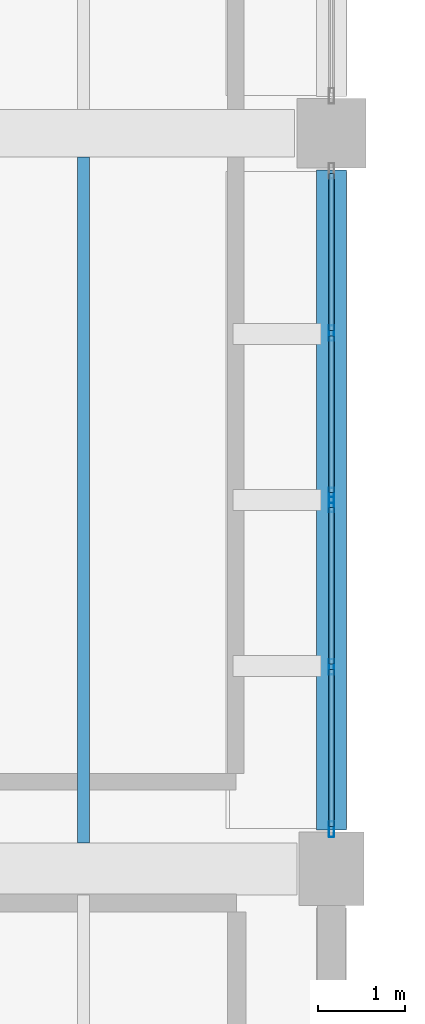
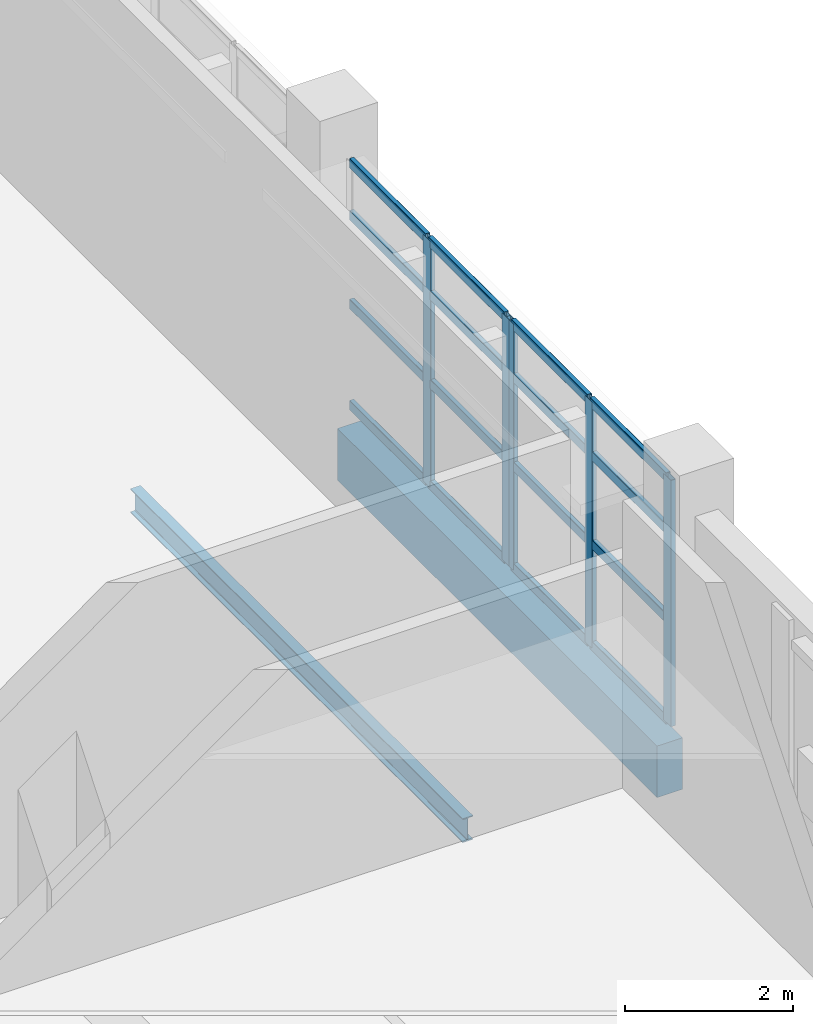
# One storey, part 23 of 76: 21 members, 2 beams, 2 elements without a shape of their own.
"""IFC4 building model written with IfcOpenShell, lengths in metres."""

from ifc_helpers import new_model, si_unit, direction, frame, origin, origin_2d, place, context, subcontext, project, spatial, rectangle, hollow_rectangle, i_section, extrude, material, material_profile, profile_set, type_object, element, aggregate, save


model = new_model("IFC4")

# Units and contexts
model_context = context("Model", 3, precision=1e-05, world=origin(), true_north=direction((0.0, 1.0)))
body_context = subcontext(model_context, "Body", "Model", "MODEL_VIEW")
ifc_project = project(units=[si_unit("LENGTHUNIT", "METRE"), si_unit("AREAUNIT", "SQUARE_METRE"), si_unit("VOLUMEUNIT", "CUBIC_METRE"), si_unit("PLANEANGLEUNIT", "RADIAN"), si_unit("MASSUNIT", "GRAM", prefix="KILO")], contexts=[model_context])

# Site, building, storey
site_placement = place(None, origin())
site = spatial("IfcSite", under=ifc_project, at=site_placement, CompositionType="ELEMENT")
building_placement = place(site_placement, origin())
building = spatial("IfcBuilding", under=site, at=building_placement, Name="Varnakota Cinema and Media Centre", CompositionType="ELEMENT")
storey_placement = place(building_placement, origin())
storey = spatial("IfcBuildingStorey", under=building, at=storey_placement, Name="L00", CompositionType="ELEMENT", Elevation=0.0)

# Beams
ifc_material_1 = material(Name="Concrete M40", Category="concrete")
ifc_material_profile_1 = material_profile(ifc_material_1, rectangle(XDim=0.35009765625, YDim=0.75, at=origin_2d()), Name="RCB 350x750")
ifc_profile_set_1 = profile_set([ifc_material_profile_1], Name="Concrete M40")
beam_type_1 = type_object("IfcBeamType", Name="BM-SP-350x750", PredefinedType="SPANDREL", material=ifc_profile_set_1)
beam_1_placement = place(storey_placement, frame((43.0, 52.949951171875, -0.655029296875), z_axis=(0.0, 1.0, 0.0), x_axis=(-1.0, 0.0, 0.0)))
element("IfcBeam", 1, at=beam_1_placement, inside=storey, type_object=beam_type_1, Name="L00 girder F/7-8", PredefinedType="SPANDREL", context=body_context, shape_type="SweptSolid", body=[
    extrude(rectangle(XDim=0.35009765625, YDim=0.75, at=origin_2d()), origin(), (0.0, 0.0, 1.0), 7.625),
])
ifc_material_2 = material(Name="Structural steel Grade 350 (E350)", Category="steel")
ifc_material_profile_2 = material_profile(ifc_material_2, i_section(OverallWidth=0.139892578125, OverallDepth=0.35009765625, WebThickness=0.008056640625, FlangeThickness=0.01416015625, FilletRadius=0.013916015625, at=origin_2d()), Name="ISMB 350")
ifc_profile_set_2 = profile_set([ifc_material_profile_2], Name="Structural steel Grade 350 (E350)")
beam_type_2 = type_object("IfcBeamType", Name="BM-ST-ISMB350", PredefinedType="JOIST", material=ifc_profile_set_2)
beam_2_placement = place(storey_placement, frame((40.13330078125, 52.800048828125, -0.455078125), z_axis=(0.0, 1.0, 0.0), x_axis=(-1.0, 0.0, 0.0)))
element("IfcBeam", 2, at=beam_2_placement, inside=storey, type_object=beam_type_2, Name="L00 steel joist E-F/7-8 #2", PredefinedType="JOIST", context=body_context, shape_type="SweptSolid", body=[
    extrude(i_section(OverallWidth=0.139892578125, OverallDepth=0.35009765625, WebThickness=0.008056640625, FlangeThickness=0.01416015625, FilletRadius=0.013916015625, at=origin_2d()), origin(), (0.0, 0.0, 1.0), 7.925048828125),
])

# Curtain wall, members
ifc_material_3 = material(Name="Thermally broken anodised aluminium AW-6063", Category="aluminium")
curtain_wall_type = type_object("IfcCurtainWallType", Name="CW-STD-382x358", PredefinedType="USERDEFINED", material=ifc_material_3)
curtain_wall_1_placement = place(storey_placement, origin())
curtain_wall_1 = element("IfcCurtainWall", 3, at=curtain_wall_1_placement, inside=storey, type_object=curtain_wall_type, Name="L00 curtain wall CW-L00-V5-E-02-1", ObjectType="UNITISED CURTAIN WALL", PredefinedType="USERDEFINED")
ifc_material_4 = material(Name="Thermally broken anodised aluminium AW-6063", Category="aluminium")
ifc_material_profile_3 = material_profile(ifc_material_4, hollow_rectangle(XDim=0.06494140625, YDim=0.179931640625, WallThickness=0.00390625, InnerFilletRadius=0.00390625, OuterFilletRadius=0.008056640625, at=origin_2d()), Name="AL-MULLION 180x65x4")
ifc_profile_set_3 = profile_set([ifc_material_profile_3], Name="Thermally broken anodised aluminium AW-6063")
member_type_1 = type_object("IfcMemberType", Name="CWM-AL-180", PredefinedType="MULLION", material=ifc_profile_set_3)
member_1_placement = place(storey_placement, frame((43.0, 52.95751953125, 0.0), z_axis=(0.0, 0.0, 1.0), x_axis=(-1.0, 0.0, 0.0)))
member_1 = element("IfcMember", 4, at=member_1_placement, type_object=member_type_1, Name="CW14 mullion 1", PredefinedType="MULLION", context=body_context, shape_type="SweptSolid", body=[
    extrude(hollow_rectangle(XDim=0.06494140625, YDim=0.179931640625, WallThickness=0.00390625, InnerFilletRadius=0.00390625, OuterFilletRadius=0.008056640625, at=origin_2d()), origin(), (0.0, 0.0, 1.0), 3.5849609375),
])
member_2_placement = place(storey_placement, frame((43.0, 54.833740234375, 0.0), z_axis=(0.0, 0.0, 1.0), x_axis=(-1.0, 0.0, 0.0)))
member_2 = element("IfcMember", 5, at=member_2_placement, type_object=member_type_1, Name="CW14 mullion 2", PredefinedType="MULLION", context=body_context, shape_type="SweptSolid", body=[
    extrude(hollow_rectangle(XDim=0.06494140625, YDim=0.179931640625, WallThickness=0.00390625, InnerFilletRadius=0.00390625, OuterFilletRadius=0.008056640625, at=origin_2d()), origin(), (0.0, 0.0, 1.0), 3.5849609375),
])
member_3_placement = place(storey_placement, frame((43.0, 56.7099609375, 0.0), z_axis=(0.0, 0.0, 1.0), x_axis=(-1.0, 0.0, 0.0)))
member_3 = element("IfcMember", 6, at=member_3_placement, type_object=member_type_1, Name="CW14 mullion 3", PredefinedType="MULLION", context=body_context, shape_type="SweptSolid", body=[
    extrude(hollow_rectangle(XDim=0.06494140625, YDim=0.179931640625, WallThickness=0.00390625, InnerFilletRadius=0.00390625, OuterFilletRadius=0.008056640625, at=origin_2d()), origin(), (0.0, 0.0, 1.0), 3.5849609375),
])

curtain_wall_2_placement = place(storey_placement, origin())
curtain_wall_2 = element("IfcCurtainWall", 7, at=curtain_wall_2_placement, inside=storey, type_object=curtain_wall_type, Name="L00 curtain wall CW-L00-V5-E-02-2", ObjectType="UNITISED CURTAIN WALL", PredefinedType="USERDEFINED")
member_4_placement = place(storey_placement, frame((43.0, 56.81494140625, 0.0), z_axis=(0.0, 0.0, 1.0), x_axis=(-1.0, 0.0, 0.0)))
member_4 = element("IfcMember", 8, at=member_4_placement, type_object=member_type_1, Name="CW14 mullion 1", PredefinedType="MULLION", context=body_context, shape_type="SweptSolid", body=[
    extrude(hollow_rectangle(XDim=0.06494140625, YDim=0.179931640625, WallThickness=0.00390625, InnerFilletRadius=0.00390625, OuterFilletRadius=0.008056640625, at=origin_2d()), origin(), (0.0, 0.0, 1.0), 3.5849609375),
])
member_5_placement = place(storey_placement, frame((43.0, 58.691162109375, 0.0), z_axis=(0.0, 0.0, 1.0), x_axis=(-1.0, 0.0, 0.0)))
member_5 = element("IfcMember", 9, at=member_5_placement, type_object=member_type_1, Name="CW14 mullion 2", PredefinedType="MULLION", context=body_context, shape_type="SweptSolid", body=[
    extrude(hollow_rectangle(XDim=0.06494140625, YDim=0.179931640625, WallThickness=0.00390625, InnerFilletRadius=0.00390625, OuterFilletRadius=0.008056640625, at=origin_2d()), origin(), (0.0, 0.0, 1.0), 3.5849609375),
])

# Member
ifc_material_5 = material(Name="Thermally broken anodised aluminium AW-6063", Category="aluminium")
ifc_material_profile_4 = material_profile(ifc_material_5, hollow_rectangle(XDim=0.06494140625, YDim=0.139892578125, WallThickness=0.00390625, InnerFilletRadius=0.00390625, OuterFilletRadius=0.008056640625, at=origin_2d()), Name="AL-TRANSOM 140x65x4")
ifc_profile_set_4 = profile_set([ifc_material_profile_4], Name="Thermally broken anodised aluminium AW-6063")
member_type_2 = type_object("IfcMemberType", Name="CWT-AL-140", PredefinedType="USERDEFINED", material=ifc_profile_set_4)
member_6_placement = place(storey_placement, frame((43.0, 52.989990234375, 0.032470703125), z_axis=(0.0, 1.0, 0.0), x_axis=(-1.0, 0.0, 0.0)))
member_6 = element("IfcMember", 10, at=member_6_placement, type_object=member_type_2, Name="CW14 transom 1.1", ObjectType="TRANSOM", PredefinedType="USERDEFINED", context=body_context, shape_type="SweptSolid", body=[
    extrude(hollow_rectangle(XDim=0.06494140625, YDim=0.139892578125, WallThickness=0.00390625, InnerFilletRadius=0.00390625, OuterFilletRadius=0.008056640625, at=origin_2d()), origin(), (0.0, 0.0, 1.0), 1.811279296875),
])

member_7_placement = place(storey_placement, frame((43.0, 52.989990234375, 1.505615234375), z_axis=(0.0, 1.0, 0.0), x_axis=(-1.0, 0.0, 0.0)))
member_7 = element("IfcMember", 11, at=member_7_placement, type_object=member_type_2, Name="CW14 transom 1.2", ObjectType="TRANSOM", PredefinedType="USERDEFINED", context=body_context, shape_type="SweptSolid", body=[
    extrude(hollow_rectangle(XDim=0.06494140625, YDim=0.139892578125, WallThickness=0.00390625, InnerFilletRadius=0.00390625, OuterFilletRadius=0.008056640625, at=origin_2d()), origin(), (0.0, 0.0, 1.0), 1.811279296875),
])

member_8_placement = place(storey_placement, frame((43.0, 52.989990234375, 2.79638671875), z_axis=(0.0, 1.0, 0.0), x_axis=(-1.0, 0.0, 0.0)))
member_8 = element("IfcMember", 12, at=member_8_placement, type_object=member_type_2, Name="CW14 transom 1.3", ObjectType="TRANSOM", PredefinedType="USERDEFINED", context=body_context, shape_type="SweptSolid", body=[
    extrude(hollow_rectangle(XDim=0.06494140625, YDim=0.139892578125, WallThickness=0.00390625, InnerFilletRadius=0.00390625, OuterFilletRadius=0.008056640625, at=origin_2d()), origin(), (0.0, 0.0, 1.0), 1.811279296875),
])

member_9_placement = place(storey_placement, frame((43.0, 52.989990234375, 3.552490234375), z_axis=(0.0, 1.0, 0.0), x_axis=(-1.0, 0.0, 0.0)))
member_9 = element("IfcMember", 13, at=member_9_placement, type_object=member_type_2, Name="CW14 transom 1.4", ObjectType="TRANSOM", PredefinedType="USERDEFINED", context=body_context, shape_type="SweptSolid", body=[
    extrude(hollow_rectangle(XDim=0.06494140625, YDim=0.139892578125, WallThickness=0.00390625, InnerFilletRadius=0.00390625, OuterFilletRadius=0.008056640625, at=origin_2d()), origin(), (0.0, 0.0, 1.0), 1.811279296875),
])

member_10_placement = place(storey_placement, frame((43.0, 54.8662109375, 0.032470703125), z_axis=(0.0, 1.0, 0.0), x_axis=(-1.0, 0.0, 0.0)))
member_10 = element("IfcMember", 14, at=member_10_placement, type_object=member_type_2, Name="CW14 transom 2.1", ObjectType="TRANSOM", PredefinedType="USERDEFINED", context=body_context, shape_type="SweptSolid", body=[
    extrude(hollow_rectangle(XDim=0.06494140625, YDim=0.139892578125, WallThickness=0.00390625, InnerFilletRadius=0.00390625, OuterFilletRadius=0.008056640625, at=origin_2d()), origin(), (0.0, 0.0, 1.0), 1.811279296875),
])

member_11_placement = place(storey_placement, frame((43.0, 54.8662109375, 1.505615234375), z_axis=(0.0, 1.0, 0.0), x_axis=(-1.0, 0.0, 0.0)))
member_11 = element("IfcMember", 15, at=member_11_placement, type_object=member_type_2, Name="CW14 transom 2.2", ObjectType="TRANSOM", PredefinedType="USERDEFINED", context=body_context, shape_type="SweptSolid", body=[
    extrude(hollow_rectangle(XDim=0.06494140625, YDim=0.139892578125, WallThickness=0.00390625, InnerFilletRadius=0.00390625, OuterFilletRadius=0.008056640625, at=origin_2d()), origin(), (0.0, 0.0, 1.0), 1.811279296875),
])

member_12_placement = place(storey_placement, frame((43.0, 54.8662109375, 2.79638671875), z_axis=(0.0, 1.0, 0.0), x_axis=(-1.0, 0.0, 0.0)))
member_12 = element("IfcMember", 16, at=member_12_placement, type_object=member_type_2, Name="CW14 transom 2.3", ObjectType="TRANSOM", PredefinedType="USERDEFINED", context=body_context, shape_type="SweptSolid", body=[
    extrude(hollow_rectangle(XDim=0.06494140625, YDim=0.139892578125, WallThickness=0.00390625, InnerFilletRadius=0.00390625, OuterFilletRadius=0.008056640625, at=origin_2d()), origin(), (0.0, 0.0, 1.0), 1.811279296875),
])

member_13_placement = place(storey_placement, frame((43.0, 54.8662109375, 3.552490234375), z_axis=(0.0, 1.0, 0.0), x_axis=(-1.0, 0.0, 0.0)))
member_13 = element("IfcMember", 17, at=member_13_placement, type_object=member_type_2, Name="CW14 transom 2.4", ObjectType="TRANSOM", PredefinedType="USERDEFINED", context=body_context, shape_type="SweptSolid", body=[
    extrude(hollow_rectangle(XDim=0.06494140625, YDim=0.139892578125, WallThickness=0.00390625, InnerFilletRadius=0.00390625, OuterFilletRadius=0.008056640625, at=origin_2d()), origin(), (0.0, 0.0, 1.0), 1.811279296875),
])

aggregate(curtain_wall_1, [member_1, member_2, member_3, member_6, member_7, member_8, member_9, member_10, member_11, member_12, member_13])

member_14_placement = place(storey_placement, frame((43.0, 56.847412109375, 0.032470703125), z_axis=(0.0, 1.0, 0.0), x_axis=(-1.0, 0.0, 0.0)))
member_14 = element("IfcMember", 18, at=member_14_placement, type_object=member_type_2, Name="CW14 transom 1.1", ObjectType="TRANSOM", PredefinedType="USERDEFINED", context=body_context, shape_type="SweptSolid", body=[
    extrude(hollow_rectangle(XDim=0.06494140625, YDim=0.139892578125, WallThickness=0.00390625, InnerFilletRadius=0.00390625, OuterFilletRadius=0.008056640625, at=origin_2d()), origin(), (0.0, 0.0, 1.0), 1.811279296875),
])

member_15_placement = place(storey_placement, frame((43.0, 56.847412109375, 1.505615234375), z_axis=(0.0, 1.0, 0.0), x_axis=(-1.0, 0.0, 0.0)))
member_15 = element("IfcMember", 19, at=member_15_placement, type_object=member_type_2, Name="CW14 transom 1.2", ObjectType="TRANSOM", PredefinedType="USERDEFINED", context=body_context, shape_type="SweptSolid", body=[
    extrude(hollow_rectangle(XDim=0.06494140625, YDim=0.139892578125, WallThickness=0.00390625, InnerFilletRadius=0.00390625, OuterFilletRadius=0.008056640625, at=origin_2d()), origin(), (0.0, 0.0, 1.0), 1.811279296875),
])

member_16_placement = place(storey_placement, frame((43.0, 56.847412109375, 2.79638671875), z_axis=(0.0, 1.0, 0.0), x_axis=(-1.0, 0.0, 0.0)))
member_16 = element("IfcMember", 20, at=member_16_placement, type_object=member_type_2, Name="CW14 transom 1.3", ObjectType="TRANSOM", PredefinedType="USERDEFINED", context=body_context, shape_type="SweptSolid", body=[
    extrude(hollow_rectangle(XDim=0.06494140625, YDim=0.139892578125, WallThickness=0.00390625, InnerFilletRadius=0.00390625, OuterFilletRadius=0.008056640625, at=origin_2d()), origin(), (0.0, 0.0, 1.0), 1.811279296875),
])

member_17_placement = place(storey_placement, frame((43.0, 56.847412109375, 3.552490234375), z_axis=(0.0, 1.0, 0.0), x_axis=(-1.0, 0.0, 0.0)))
member_17 = element("IfcMember", 21, at=member_17_placement, type_object=member_type_2, Name="CW14 transom 1.4", ObjectType="TRANSOM", PredefinedType="USERDEFINED", context=body_context, shape_type="SweptSolid", body=[
    extrude(hollow_rectangle(XDim=0.06494140625, YDim=0.139892578125, WallThickness=0.00390625, InnerFilletRadius=0.00390625, OuterFilletRadius=0.008056640625, at=origin_2d()), origin(), (0.0, 0.0, 1.0), 1.811279296875),
])

member_18_placement = place(storey_placement, frame((43.0, 58.7236328125, 0.032470703125), z_axis=(0.0, 1.0, 0.0), x_axis=(-1.0, 0.0, 0.0)))
member_18 = element("IfcMember", 22, at=member_18_placement, type_object=member_type_2, Name="CW14 transom 2.1", ObjectType="TRANSOM", PredefinedType="USERDEFINED", context=body_context, shape_type="SweptSolid", body=[
    extrude(hollow_rectangle(XDim=0.06494140625, YDim=0.139892578125, WallThickness=0.00390625, InnerFilletRadius=0.00390625, OuterFilletRadius=0.008056640625, at=origin_2d()), origin(), (0.0, 0.0, 1.0), 1.811279296875),
])

member_19_placement = place(storey_placement, frame((43.0, 58.7236328125, 1.505615234375), z_axis=(0.0, 1.0, 0.0), x_axis=(-1.0, 0.0, 0.0)))
member_19 = element("IfcMember", 23, at=member_19_placement, type_object=member_type_2, Name="CW14 transom 2.2", ObjectType="TRANSOM", PredefinedType="USERDEFINED", context=body_context, shape_type="SweptSolid", body=[
    extrude(hollow_rectangle(XDim=0.06494140625, YDim=0.139892578125, WallThickness=0.00390625, InnerFilletRadius=0.00390625, OuterFilletRadius=0.008056640625, at=origin_2d()), origin(), (0.0, 0.0, 1.0), 1.811279296875),
])

member_20_placement = place(storey_placement, frame((43.0, 58.7236328125, 2.79638671875), z_axis=(0.0, 1.0, 0.0), x_axis=(-1.0, 0.0, 0.0)))
member_20 = element("IfcMember", 24, at=member_20_placement, type_object=member_type_2, Name="CW14 transom 2.3", ObjectType="TRANSOM", PredefinedType="USERDEFINED", context=body_context, shape_type="SweptSolid", body=[
    extrude(hollow_rectangle(XDim=0.06494140625, YDim=0.139892578125, WallThickness=0.00390625, InnerFilletRadius=0.00390625, OuterFilletRadius=0.008056640625, at=origin_2d()), origin(), (0.0, 0.0, 1.0), 1.811279296875),
])

member_21_placement = place(storey_placement, frame((43.0, 58.7236328125, 3.552490234375), z_axis=(0.0, 1.0, 0.0), x_axis=(-1.0, 0.0, 0.0)))
member_21 = element("IfcMember", 25, at=member_21_placement, type_object=member_type_2, Name="CW14 transom 2.4", ObjectType="TRANSOM", PredefinedType="USERDEFINED", context=body_context, shape_type="SweptSolid", body=[
    extrude(hollow_rectangle(XDim=0.06494140625, YDim=0.139892578125, WallThickness=0.00390625, InnerFilletRadius=0.00390625, OuterFilletRadius=0.008056640625, at=origin_2d()), origin(), (0.0, 0.0, 1.0), 1.811279296875),
])

aggregate(curtain_wall_2, [member_4, member_5, member_14, member_15, member_16, member_17, member_18, member_19, member_20, member_21])

save(model, "model.ifc")
